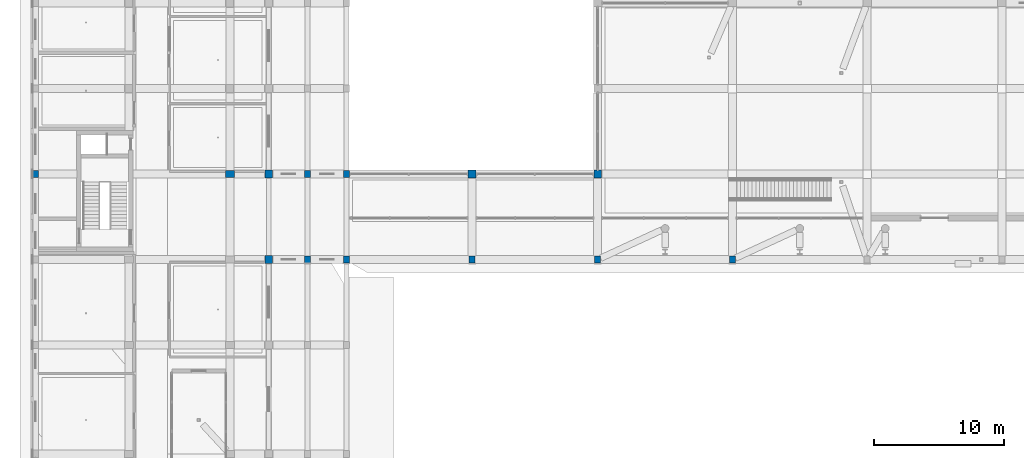
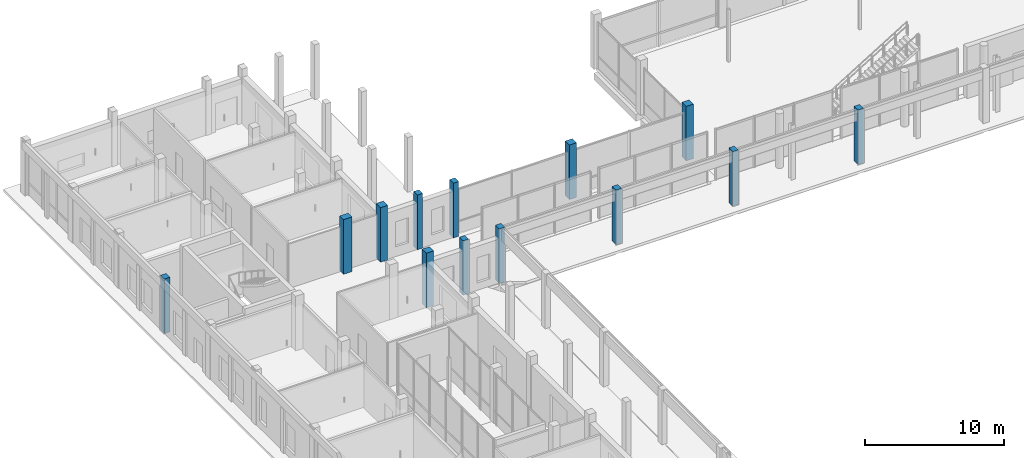
# One storey, part 5 of 88: 13 columns.
"""IFC4 building model written with IfcOpenShell, lengths in metres."""

from ifc_helpers import new_model, si_unit, derived_unit, direction, frame, origin, origin_2d, place, context, subcontext, project, spatial, rectangle, extrude, material, material_profile, profile_set, type_object, element, save


model = new_model("IFC4")

# Units and contexts
model_context = context("Model", 3, precision=1e-05, world=origin(), true_north=direction((0.0, 1.0)))
body_context = subcontext(model_context, "Body", "Model", "MODEL_VIEW")
ifc_project = project(units=[si_unit("LENGTHUNIT", "METRE"), si_unit("AREAUNIT", "SQUARE_METRE"), si_unit("VOLUMEUNIT", "CUBIC_METRE"), si_unit("PLANEANGLEUNIT", "RADIAN"), si_unit("MASSUNIT", "GRAM", prefix="KILO"), derived_unit("THERMALTRANSMITTANCEUNIT", [(si_unit("POWERUNIT", "WATT"), 1), (si_unit("LENGTHUNIT", "METRE"), -2), (si_unit("THERMODYNAMICTEMPERATUREUNIT", "KELVIN"), -1)])], contexts=[model_context])

# Site, building, storey
site_placement = place(None, origin())
site = spatial("IfcSite", under=ifc_project, at=site_placement, CompositionType="ELEMENT")
building_placement = place(site_placement, origin())
building = spatial("IfcBuilding", under=site, at=building_placement, Name="Braskholm Square Health Centre", CompositionType="ELEMENT")
storey_placement = place(building_placement, origin())
storey = spatial("IfcBuildingStorey", under=building, at=storey_placement, Name="L01", CompositionType="ELEMENT", Elevation=0.0)

# Columns
ifc_material_1 = material(Name="Concrete C40/50 (f'c = 40 MPa)", Category="concrete")
ifc_material_profile_1 = material_profile(ifc_material_1, rectangle(XDim=0.699951171875, YDim=0.550048828125, at=origin_2d()), Name="RC-700X550")
ifc_profile_set_1 = profile_set([ifc_material_profile_1], Name="Concrete C40/50 (f'c = 40 MPa)")
column_type_1 = type_object("IfcColumnType", Name="ColImagingHeavy700x550", PredefinedType="COLUMN", material=ifc_profile_set_1)
column_placement = place(storey_placement, frame((19.199951171875, 93.800048828125, 0.0), z_axis=(0.0, 0.0, 1.0), x_axis=(1.0, 0.0, 0.0)))
element("IfcColumn", 1, at=column_placement, inside=storey, type_object=column_type_1, Name="Column 3/P L01", PredefinedType="COLUMN", context=body_context, shape_type="SweptSolid", body=[
    extrude(rectangle(XDim=0.699951171875, YDim=0.550048828125, at=origin_2d()), origin(), (0.0, 0.0, 1.0), 4.800048828125),
])
ifc_material_profile_2 = material_profile(ifc_material_1, rectangle(XDim=0.60009765625, YDim=0.60009765625, at=origin_2d()), Name="RC-600X600")
ifc_profile_set_2 = profile_set([ifc_material_profile_2], Name="Concrete C40/50 (f'c = 40 MPa)")
column_type_2 = type_object("IfcColumnType", Name="ColInteriorLow600", PredefinedType="COLUMN", material=ifc_profile_set_2)
for number, where, z_axis, x_axis, name in (
    (2, (22.199951171875, 87.199951171875, 0.0), (0.0, 0.0, 1.0), (1.0, 0.0, 0.0), "Column 4/N L01"),
    (3, (22.199951171875, 93.800048828125, 0.0), (0.0, 0.0, 1.0), (1.0, 0.0, 0.0), "Column 4/P L01"),
    (4, (37.89990234375, 93.800048828125, 0.0), (0.0, 0.0, 1.0), (1.0, 0.0, 0.0), "Column 7/P L01"),
    (5, (47.60009765625, 93.800048828125, 0.0), (0.0, 0.0, 1.0), (1.0, 0.0, 0.0), "Column 8/P L01"),
):
    element("IfcColumn", number, at=place(storey_placement, frame(where, z_axis=z_axis, x_axis=x_axis)), inside=storey, type_object=column_type_2, Name=name, PredefinedType="COLUMN", context=body_context, shape_type="SweptSolid", body=[
        extrude(rectangle(XDim=0.60009765625, YDim=0.60009765625, at=origin_2d()), origin(), (0.0, 0.0, 1.0), 4.800048828125),
    ])
ifc_material_2 = material(Name="Precast concrete C40/50 architectural white", Category="concrete")
ifc_material_profile_3 = material_profile(ifc_material_2, rectangle(XDim=0.43994140625, YDim=0.5400390625, at=origin_2d()), Name="RC-440X540")
ifc_profile_set_3 = profile_set([ifc_material_profile_3], Name="Precast concrete C40/50 architectural white")
column_type_3 = type_object("IfcColumnType", Name="ColPilasterKasota440x540", PredefinedType="PILASTER", material=ifc_profile_set_3)
for number, where, z_axis, x_axis, name in (
    (6, (25.199951171875, 87.199951171875, 0.0), (0.0, 0.0, 1.0), (1.0, 0.0, 0.0), "Column 5/N L01"),
    (7, (25.199951171875, 93.800048828125, 0.0), (0.0, 0.0, 1.0), (1.0, 0.0, 0.0), "Column 5/P L01"),
    (8, (28.199951171875, 93.800048828125, 0.0), (0.0, 0.0, 1.0), (1.0, 0.0, 0.0), "Column 6/P L01"),
):
    element("IfcColumn", number, at=place(storey_placement, frame(where, z_axis=z_axis, x_axis=x_axis)), inside=storey, type_object=column_type_3, Name=name, PredefinedType="PILASTER", context=body_context, shape_type="SweptSolid", body=[
        extrude(rectangle(XDim=0.43994140625, YDim=0.5400390625, at=origin_2d()), origin(), (0.0, 0.0, 1.0), 4.800048828125),
    ])
ifc_material_profile_4 = material_profile(ifc_material_2, rectangle(XDim=0.4599609375, YDim=0.56005859375, at=origin_2d()), Name="RC-460X560")
ifc_profile_set_4 = profile_set([ifc_material_profile_4], Name="Precast concrete C40/50 architectural white")
column_type_4 = type_object("IfcColumnType", Name="ColPrecastFrame460x560", PredefinedType="COLUMN", material=ifc_profile_set_4)
for number, where, z_axis, x_axis, name in (
    (9, (4.199951171875, 93.800048828125, 0.0), (0.0, 0.0, 1.0), (1.0, 0.0, 0.0), "Column 1/P L01"),
    (10, (28.199951171875, 87.199951171875, 0.0), (0.0, 0.0, 1.0), (1.0, 0.0, 0.0), "Column 6/N L01"),
    (11, (37.89990234375, 87.199951171875, 0.0), (0.0, 0.0, 1.0), (1.0, 0.0, 0.0), "Column 7/N L01"),
    (12, (47.60009765625, 87.199951171875, 0.0), (0.0, 0.0, 1.0), (1.0, 0.0, 0.0), "Column 8/N L01"),
    (13, (58.0, 87.199951171875, 0.0), (0.0, 0.0, 1.0), (1.0, 0.0, 0.0), "Column 9/N L01"),
):
    element("IfcColumn", number, at=place(storey_placement, frame(where, z_axis=z_axis, x_axis=x_axis)), inside=storey, type_object=column_type_4, Name=name, PredefinedType="COLUMN", context=body_context, shape_type="SweptSolid", body=[
        extrude(rectangle(XDim=0.4599609375, YDim=0.56005859375, at=origin_2d()), origin(), (0.0, 0.0, 1.0), 4.800048828125),
    ])

save(model, "model.ifc")
